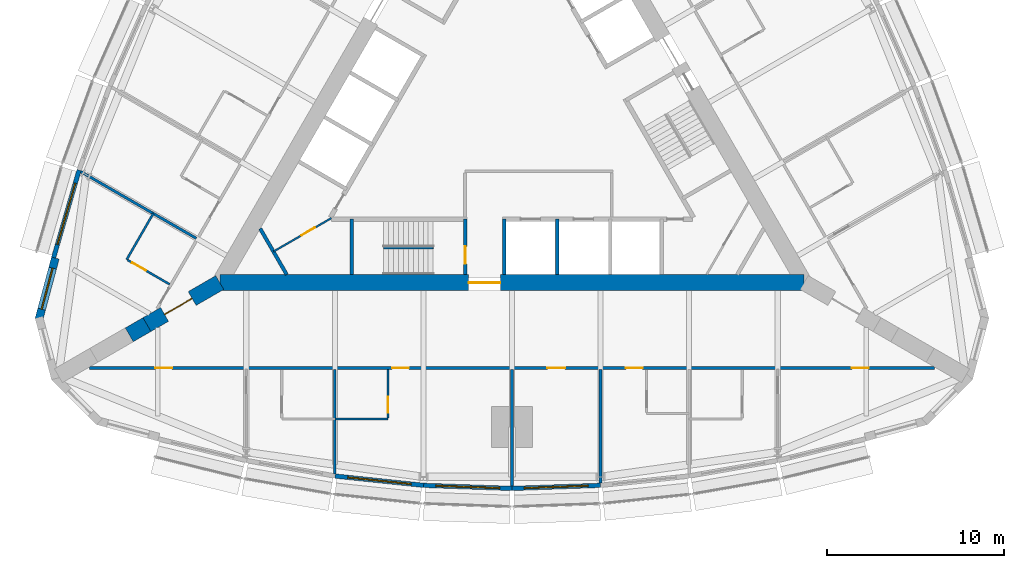
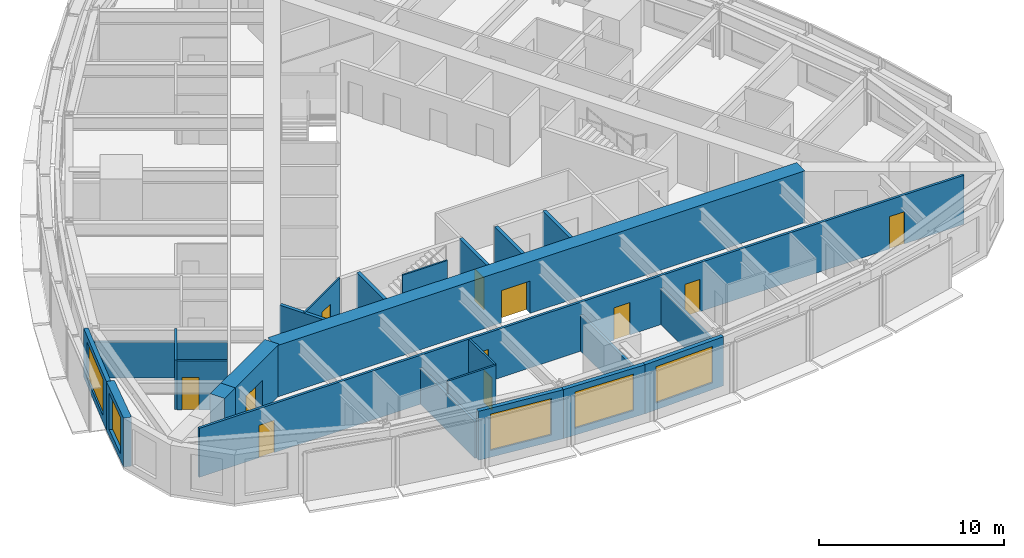
# One storey, part 8 of 14: 24 walls, 11 doors, 5 windows, 16 openings.
"""IFC4 building model written with IfcOpenShell, lengths in metres."""

from ifc_helpers import new_model, si_unit, direction, frame, frame_2d, origin, place, context, subcontext, project, spatial, rectangle, extrude, material, layer, layer_set, type_object, element, fill, save


model = new_model("IFC4")

# Units and contexts
model_context = context("Model", 3, precision=1e-05, world=origin(), true_north=direction((0.0, 1.0)))
body_context = subcontext(model_context, "Body", "Model", "MODEL_VIEW")
ifc_project = project(units=[si_unit("LENGTHUNIT", "METRE"), si_unit("AREAUNIT", "SQUARE_METRE"), si_unit("VOLUMEUNIT", "CUBIC_METRE"), si_unit("PLANEANGLEUNIT", "RADIAN"), si_unit("MASSUNIT", "GRAM", prefix="KILO")], contexts=[model_context])

# Site, building, storey
site_placement = place(None, origin())
site = spatial("IfcSite", under=ifc_project, at=site_placement, CompositionType="ELEMENT")
building_placement = place(site_placement, origin())
building = spatial("IfcBuilding", under=site, at=building_placement, Name="Trikona Tower", CompositionType="ELEMENT")
storey_placement = place(building_placement, frame((0.0, 0.0, 155.5)))
storey = spatial("IfcBuildingStorey", under=building, at=storey_placement, Name="L41", CompositionType="ELEMENT", Elevation=155.5)

# Wall
ifc_material_1 = material(Name="Metal stud and cement board", Category="gypsum")
ifc_layer_1 = layer(ifc_material_1, 0.1201171875)
ifc_layer_set_1 = layer_set([ifc_layer_1], Name="Bathroom wall 120")
wall_type_1 = type_object("IfcWallType", Name="Bathroom wall 120", PredefinedType="PLUMBINGWALL", material=ifc_layer_set_1)
wall_1_placement = place(storey_placement, frame((-10.0, -17.226318359375, 0.0), z_axis=(0.0, 0.0, 1.0), x_axis=(1.0, 0.0, 0.0)))
element("IfcWall", 1, at=wall_1_placement, inside=storey, type_object=wall_type_1, Name="Bathroom wall 4102", PredefinedType="PLUMBINGWALL", context=body_context, shape_type="SweptSolid", body=[
    extrude(rectangle(XDim=3.0, YDim=0.1201171875, at=frame_2d((1.5, 0.0))), origin(), (0.0, 0.0, 1.0), 3.235107421875),
])

# Wall, opening, door
wall_2_placement = place(storey_placement, frame((-7.0, -14.42626953125, 0.0), z_axis=(0.0, 0.0, 1.0), x_axis=(0.0, -1.0, 0.0)))
wall_2 = element("IfcWall", 2, at=wall_2_placement, inside=storey, type_object=wall_type_1, Name="Bathroom wall 4102", PredefinedType="PLUMBINGWALL", context=body_context, shape_type="SweptSolid", body=[
    extrude(rectangle(XDim=2.739990234375, YDim=0.1201171875, at=frame_2d((1.3701171875, 0.0))), origin(), (0.0, 0.0, 1.0), 3.235107421875),
])
opening_1_placement = place(wall_2_placement, frame((1.550048828125, 0.0, 0.0)))
opening_1 = element("IfcOpeningElement", 3, at=opening_1_placement, cuts=wall_2, Name="Opening D2", PredefinedType="OPENING", context=body_context, shape_type="SweptSolid", body=[
    extrude(rectangle(XDim=0.89990234375, YDim=2.1298828125, at=frame_2d((0.449951171875, 1.06494140625))), frame((0.0, 0.070068359375, 0.0), z_axis=(0.0, -1.0, 0.0), x_axis=(1.0, 0.0, 0.0)), (0.0, 0.0, 1.0), 0.14013671875),
])
ifc_material_2 = material(Name="Steel door frame with solid-core timber leaf", Category="steel")
door_type_1 = type_object("IfcDoorType", Name="Bathroom door 900x2130", OperationType="SLIDING_TO_LEFT", PredefinedType="DOOR", material=ifc_material_2)
door_1_placement = place(opening_1_placement, origin())
door_1 = element("IfcDoor", 4, at=door_1_placement, inside=storey, type_object=door_type_1, Name="Bathroom door 4102", OperationType="SLIDING_TO_LEFT", OverallHeight=2.1298828125, OverallWidth=0.89990234375, PredefinedType="DOOR", context=body_context, shape_type="SweptSolid", body=[
    extrude(rectangle(XDim=0.89990234375, YDim=2.1298828125, at=frame_2d((0.449951171875, 1.06494140625))), frame((0.0, 0.02490234375, 0.0), z_axis=(0.0, -1.0, 0.0), x_axis=(1.0, 0.0, 0.0)), (0.0, 0.0, 1.0), 0.050048828125),
])
fill(opening_1, door_1)

# Wall
wall_3_placement = place(storey_placement, frame((-20.25341796875, -5.627197265625, 0.0), z_axis=(0.0, 0.0, 1.0), x_axis=(-0.499990139034, -0.866031096941, 0.0)))
element("IfcWall", 5, at=wall_3_placement, inside=storey, type_object=wall_type_1, Name="Bathroom wall 4115", PredefinedType="PLUMBINGWALL", context=body_context, shape_type="SweptSolid", body=[
    extrude(rectangle(XDim=3.0, YDim=0.1201171875, at=frame_2d((1.5, 0.0))), origin(), (0.0, 0.0, 1.0), 3.235107421875),
])

# Wall, opening, door
wall_4_placement = place(storey_placement, frame((-19.32861328125, -9.625244140625, 0.0), z_axis=(0.0, 0.0, 1.0), x_axis=(-0.866035715982, 0.499982138324, 0.0)))
wall_4 = element("IfcWall", 6, at=wall_4_placement, inside=storey, type_object=wall_type_1, Name="Bathroom wall 4115", PredefinedType="PLUMBINGWALL", context=body_context, shape_type="SweptSolid", body=[
    extrude(rectangle(XDim=2.73974609375, YDim=0.1201171875, at=frame_2d((1.369873046875, 0.0))), origin(), (0.0, 0.0, 1.0), 3.235107421875),
])
opening_2_placement = place(wall_4_placement, frame((1.550048828125, 0.0, 0.0)))
opening_2 = element("IfcOpeningElement", 7, at=opening_2_placement, cuts=wall_4, Name="Opening D2", PredefinedType="OPENING", context=body_context, shape_type="SweptSolid", body=[
    extrude(rectangle(XDim=0.89990234375, YDim=2.1298828125, at=frame_2d((0.449951171875, 1.06494140625))), frame((0.0, 0.070068359375, 0.0), z_axis=(0.0, -1.0, 0.0), x_axis=(1.0, 0.0, 0.0)), (0.0, 0.0, 1.0), 0.14013671875),
])
door_2_placement = place(opening_2_placement, origin())
door_2 = element("IfcDoor", 8, at=door_2_placement, inside=storey, type_object=door_type_1, Name="Bathroom door 4115", OperationType="SLIDING_TO_LEFT", OverallHeight=2.1298828125, OverallWidth=0.89990234375, PredefinedType="DOOR", context=body_context, shape_type="SweptSolid", body=[
    extrude(rectangle(XDim=0.89990234375, YDim=2.1298828125, at=frame_2d((0.449951171875, 1.06494140625))), frame((0.0, 0.02490234375, 0.0), z_axis=(0.0, -1.0, 0.0), x_axis=(1.0, 0.0, 0.0)), (0.0, 0.0, 1.0), 0.050048828125),
])
fill(opening_2, door_2)

# Wall, opening, window
ifc_material_3 = material(Name="Brick-faced precast concrete", Category="masonry")
ifc_layer_2 = layer(ifc_material_3, 0.449951171875)
ifc_layer_set_2 = layer_set([ifc_layer_2], Name="Brick-faced corner wall 450")
wall_type_2 = type_object("IfcWallType", Name="Brick-faced corner wall 450", PredefinedType="SOLIDWALL", material=ifc_layer_set_2)
wall_5_placement = place(storey_placement, frame((-25.78271484375, -8.14111328125, 0.0), z_axis=(0.0, 0.0, 1.0), x_axis=(-0.258823421857, -0.965924653531, 0.0)))
wall_5 = element("IfcWall", 9, at=wall_5_placement, inside=storey, type_object=wall_type_2, Name="External wall L41-32", PredefinedType="SOLIDWALL", context=body_context, shape_type="SweptSolid", body=[
    extrude(rectangle(XDim=3.58642578125, YDim=0.449951171875, at=frame_2d((1.793212890625, 0.0))), origin(), (0.0, 0.0, 1.0), 3.235107421875),
])
opening_3_placement = place(wall_5_placement, frame((0.593017578125, 0.0, 0.449951171875)))
opening_3 = element("IfcOpeningElement", 10, at=opening_3_placement, cuts=wall_5, Name="Opening W2424", PredefinedType="OPENING", context=body_context, shape_type="SweptSolid", body=[
    extrude(rectangle(XDim=2.39990234375, YDim=2.39990234375, at=frame_2d((1.199951171875, 1.199951171875))), frame((0.0, 0.23486328125, 0.0), z_axis=(0.0, -1.0, 0.0), x_axis=(1.0, 0.0, 0.0)), (0.0, 0.0, 1.0), 0.469970703125),
])
ifc_material_4 = material(Name="Aluminium-framed double glazing", Category="aluminium")
window_type_1 = type_object("IfcWindowType", Name="Window 2400x2400", PartitioningType="SINGLE_PANEL", PredefinedType="WINDOW", material=ifc_material_4)
window_1_placement = place(opening_3_placement, origin())
window_1 = element("IfcWindow", 11, at=window_1_placement, inside=storey, type_object=window_type_1, Name="Window 4115", OverallHeight=2.39990234375, OverallWidth=2.39990234375, PartitioningType="SINGLE_PANEL", PredefinedType="WINDOW", context=body_context, shape_type="SweptSolid", body=[
    extrude(rectangle(XDim=2.39990234375, YDim=2.39990234375, at=frame_2d((1.199951171875, 1.199951171875))), frame((0.0, 0.030029296875, 0.0), z_axis=(0.0, -1.0, 0.0), x_axis=(1.0, 0.0, 0.0)), (0.0, 0.0, 1.0), 0.06005859375),
])
fill(opening_3, window_1)

# Wall, opening, door
ifc_material_5 = material(Name="Concrete f'c 10000 psi", Category="concrete")
ifc_layer_3 = layer(ifc_material_5, 0.89990234375)
ifc_layer_set_3 = layer_set([ifc_layer_3], Name="Buttress wall 900")
wall_type_3 = type_object("IfcWallType", Name="Buttress wall 900", PredefinedType="SHEAR", material=ifc_layer_set_3)
wall_6_placement = place(storey_placement, frame((-16.5, -9.5263671875, 0.0), z_axis=(0.0, 0.0, 1.0), x_axis=(-0.866031398331, -0.499989616998, 0.0)))
wall_6 = element("IfcWall", 12, at=wall_6_placement, inside=storey, type_object=wall_type_3, Name="Buttress wall 3", PredefinedType="SHEAR", context=body_context, shape_type="SweptSolid", body=[
    extrude(rectangle(XDim=4.74609375, YDim=0.89990234375, at=frame_2d((2.373046875, 0.0))), origin(), (0.0, 0.0, 1.0), 3.39990234375),
])
opening_4_placement = place(wall_6_placement, frame((1.800048828125, 0.0, 0.0)))
opening_4 = element("IfcOpeningElement", 13, at=opening_4_placement, cuts=wall_6, Name="Opening D10", PredefinedType="OPENING", context=body_context, shape_type="SweptSolid", body=[
    extrude(rectangle(XDim=1.800048828125, YDim=2.1298828125, at=frame_2d((0.89990234375, 1.06494140625))), frame((0.0, 0.4599609375, 0.0), z_axis=(0.0, -1.0, 0.0), x_axis=(1.0, 0.0, 0.0)), (0.0, 0.0, 1.0), 0.919921875),
])
ifc_material_6 = material(Name="Hollow metal door and frame", Category="steel")
door_type_2 = type_object("IfcDoorType", Name="Cross-corridor door pair 1800x2130", OperationType="DOUBLE_DOOR_DOUBLE_SWING", PredefinedType="DOOR", material=ifc_material_6)
door_3_placement = place(opening_4_placement, origin())
door_3 = element("IfcDoor", 14, at=door_3_placement, inside=storey, type_object=door_type_2, Name="Cross-corridor door 3", OperationType="DOUBLE_DOOR_DOUBLE_SWING", OverallHeight=2.1298828125, OverallWidth=1.800048828125, PredefinedType="DOOR", context=body_context, shape_type="SweptSolid", body=[
    extrude(rectangle(XDim=1.800048828125, YDim=2.1298828125, at=frame_2d((0.89990234375, 1.06494140625))), frame((0.0, 0.02490234375, 0.0), z_axis=(0.0, -1.0, 0.0), x_axis=(1.0, 0.0, 0.0)), (0.0, 0.0, 1.0), 0.050048828125),
])
fill(opening_4, door_3)

# Wall
wall_7_placement = place(storey_placement, frame((-20.6103515625, -11.8994140625, 0.0), z_axis=(0.0, 0.0, 1.0), x_axis=(-0.866009537788, -0.500027479704, 0.0)))
element("IfcWall", 15, at=wall_7_placement, inside=storey, type_object=wall_type_3, Name="Buttress wall 3 part 2", PredefinedType="SHEAR", context=body_context, shape_type="SweptSolid", body=[
    extrude(rectangle(XDim=1.15478515625, YDim=0.89990234375, at=frame_2d((0.577392578125, 0.0))), origin(), (0.0, 0.0, 1.0), 3.39990234375),
])

# Wall, opening, door
ifc_material_7 = material(Name="Concrete f'c 10000 psi", Category="concrete")
ifc_layer_4 = layer(ifc_material_7, 0.89990234375)
ifc_layer_set_4 = layer_set([ifc_layer_4], Name="Core wall 900")
wall_type_4 = type_object("IfcWallType", Name="Core wall 900", PredefinedType="SHEAR", material=ifc_layer_set_4)
wall_8_placement = place(storey_placement, frame((-16.5, -9.5263671875, 0.0), z_axis=(0.0, 0.0, 1.0), x_axis=(1.0, 0.0, 0.0)))
wall_8 = element("IfcWall", 16, at=wall_8_placement, inside=storey, type_object=wall_type_4, Name="Core wall A", PredefinedType="SHEAR", context=body_context, shape_type="SweptSolid", body=[
    extrude(rectangle(XDim=33.0, YDim=0.89990234375, at=frame_2d((16.5, 0.0))), origin(), (0.0, 0.0, 1.0), 3.39990234375),
])
opening_5_placement = place(wall_8_placement, frame((14.050048828125, 0.0, 0.0)))
opening_5 = element("IfcOpeningElement", 17, at=opening_5_placement, cuts=wall_8, Name="Opening D6", PredefinedType="OPENING", context=body_context, shape_type="SweptSolid", body=[
    extrude(rectangle(XDim=1.800048828125, YDim=2.1298828125, at=frame_2d((0.89990234375, 1.06494140625))), frame((0.0, 0.4599609375, 0.0), z_axis=(0.0, -1.0, 0.0), x_axis=(1.0, 0.0, 0.0)), (0.0, 0.0, 1.0), 0.919921875),
])
ifc_material_8 = material(Name="Hollow metal door and frame", Category="steel")
door_type_3 = type_object("IfcDoorType", Name="Lobby door pair 1800x2130", OperationType="DOUBLE_DOOR_SINGLE_SWING", PredefinedType="DOOR", material=ifc_material_8)
door_4_placement = place(opening_5_placement, origin())
door_4 = element("IfcDoor", 18, at=door_4_placement, inside=storey, type_object=door_type_3, Name="Fire service lift lobby door", OperationType="DOUBLE_DOOR_SINGLE_SWING", OverallHeight=2.1298828125, OverallWidth=1.800048828125, PredefinedType="DOOR", context=body_context, shape_type="SweptSolid", body=[
    extrude(rectangle(XDim=1.800048828125, YDim=2.1298828125, at=frame_2d((0.89990234375, 1.06494140625))), frame((0.0, 0.02490234375, 0.0), z_axis=(0.0, -1.0, 0.0), x_axis=(1.0, 0.0, 0.0)), (0.0, 0.0, 1.0), 0.050048828125),
])
fill(opening_5, door_4)

# Wall, openings, doors
ifc_material_9 = material(Name="Metal stud and gypsum board, 1-hour", Category="gypsum")
ifc_layer_5 = layer(ifc_material_9, 0.14990234375)
ifc_layer_set_5 = layer_set([ifc_layer_5], Name="Corridor wall 150")
wall_type_5 = type_object("IfcWallType", Name="Corridor wall 150", PredefinedType="PARTITIONING", material=ifc_layer_set_5)
wall_9_placement = place(storey_placement, frame((-23.857177734375, -14.351318359375, 0.0), z_axis=(0.0, 0.0, 1.0), x_axis=(1.0, 0.0, 0.0)))
wall_9 = element("IfcWall", 19, at=wall_9_placement, inside=storey, type_object=wall_type_5, Name="Corridor wall L41-1", PredefinedType="PARTITIONING", context=body_context, shape_type="SweptSolid", body=[
    extrude(rectangle(XDim=47.71435546875, YDim=0.14990234375, at=frame_2d((23.857177734375, 0.0))), origin(), (0.0, 0.0, 1.0), 3.235107421875),
])
opening_6_placement = place(wall_9_placement, frame((3.723388671875, 0.0, 0.0)))
opening_6 = element("IfcOpeningElement", 20, at=opening_6_placement, cuts=wall_9, Name="Opening D1", PredefinedType="OPENING", context=body_context, shape_type="SweptSolid", body=[
    extrude(rectangle(XDim=0.949951171875, YDim=2.1298828125, at=frame_2d((0.47509765625, 1.06494140625))), frame((0.0, 0.0849609375, 0.0), z_axis=(0.0, -1.0, 0.0), x_axis=(1.0, 0.0, 0.0)), (0.0, 0.0, 1.0), 0.169921875),
])
opening_7_placement = place(wall_9_placement, frame((17.08203125, 0.0, 0.0)))
opening_7 = element("IfcOpeningElement", 21, at=opening_7_placement, cuts=wall_9, Name="Opening D1", PredefinedType="OPENING", context=body_context, shape_type="SweptSolid", body=[
    extrude(rectangle(XDim=0.949951171875, YDim=2.1298828125, at=frame_2d((0.47509765625, 1.06494140625))), frame((0.0, 0.0849609375, 0.0), z_axis=(0.0, -1.0, 0.0), x_axis=(1.0, 0.0, 0.0)), (0.0, 0.0, 1.0), 0.169921875),
])
opening_8_placement = place(wall_9_placement, frame((25.857177734375, 0.0, 0.0)))
opening_8 = element("IfcOpeningElement", 22, at=opening_8_placement, cuts=wall_9, Name="Opening D3", PredefinedType="OPENING", context=body_context, shape_type="SweptSolid", body=[
    extrude(rectangle(XDim=1.0, YDim=2.1298828125, at=frame_2d((0.5, 1.06494140625))), frame((0.0, 0.0849609375, 0.0), z_axis=(0.0, -1.0, 0.0), x_axis=(1.0, 0.0, 0.0)), (0.0, 0.0, 1.0), 0.169921875),
])
opening_9_placement = place(wall_9_placement, frame((30.281982421875, 0.0, 0.0)))
opening_9 = element("IfcOpeningElement", 23, at=opening_9_placement, cuts=wall_9, Name="Opening D1", PredefinedType="OPENING", context=body_context, shape_type="SweptSolid", body=[
    extrude(rectangle(XDim=0.949951171875, YDim=2.1298828125, at=frame_2d((0.47509765625, 1.06494140625))), frame((0.0, 0.0849609375, 0.0), z_axis=(0.0, -1.0, 0.0), x_axis=(1.0, 0.0, 0.0)), (0.0, 0.0, 1.0), 0.169921875),
])
opening_10_placement = place(wall_9_placement, frame((43.041015625, 0.0, 0.0)))
opening_10 = element("IfcOpeningElement", 24, at=opening_10_placement, cuts=wall_9, Name="Opening D1", PredefinedType="OPENING", context=body_context, shape_type="SweptSolid", body=[
    extrude(rectangle(XDim=0.949951171875, YDim=2.1298828125, at=frame_2d((0.47509765625, 1.06494140625))), frame((0.0, 0.0849609375, 0.0), z_axis=(0.0, -1.0, 0.0), x_axis=(1.0, 0.0, 0.0)), (0.0, 0.0, 1.0), 0.169921875),
])
ifc_material_10 = material(Name="Steel door frame with solid-core timber leaf", Category="steel")
door_type_4 = type_object("IfcDoorType", Name="Guest room door 950x2130", OperationType="SINGLE_SWING_LEFT", PredefinedType="DOOR", material=ifc_material_10)
door_5_placement = place(opening_6_placement, origin())
door_5 = element("IfcDoor", 25, at=door_5_placement, inside=storey, type_object=door_type_4, Name="Room door 4101", OperationType="SINGLE_SWING_LEFT", OverallHeight=2.1298828125, OverallWidth=0.949951171875, PredefinedType="DOOR", context=body_context, shape_type="SweptSolid", body=[
    extrude(rectangle(XDim=0.949951171875, YDim=2.1298828125, at=frame_2d((0.47509765625, 1.06494140625))), frame((0.0, 0.02490234375, 0.0), z_axis=(0.0, -1.0, 0.0), x_axis=(1.0, 0.0, 0.0)), (0.0, 0.0, 1.0), 0.050048828125),
])
fill(opening_6, door_5)
door_6_placement = place(opening_7_placement, origin())
door_6 = element("IfcDoor", 26, at=door_6_placement, inside=storey, type_object=door_type_4, Name="Room door 4102", OperationType="SINGLE_SWING_RIGHT", OverallHeight=2.1298828125, OverallWidth=0.949951171875, PredefinedType="DOOR", context=body_context, shape_type="SweptSolid", body=[
    extrude(rectangle(XDim=0.949951171875, YDim=2.1298828125, at=frame_2d((0.47509765625, 1.06494140625))), frame((0.0, 0.02490234375, 0.0), z_axis=(0.0, -1.0, 0.0), x_axis=(1.0, 0.0, 0.0)), (0.0, 0.0, 1.0), 0.050048828125),
])
fill(opening_7, door_6)
door_7_placement = place(opening_9_placement, origin())
door_7 = element("IfcDoor", 27, at=door_7_placement, inside=storey, type_object=door_type_4, Name="Room door 4103", OperationType="SINGLE_SWING_RIGHT", OverallHeight=2.1298828125, OverallWidth=0.949951171875, PredefinedType="DOOR", context=body_context, shape_type="SweptSolid", body=[
    extrude(rectangle(XDim=0.949951171875, YDim=2.1298828125, at=frame_2d((0.47509765625, 1.06494140625))), frame((0.0, 0.02490234375, 0.0), z_axis=(0.0, -1.0, 0.0), x_axis=(1.0, 0.0, 0.0)), (0.0, 0.0, 1.0), 0.050048828125),
])
fill(opening_9, door_7)
door_8_placement = place(opening_10_placement, origin())
door_8 = element("IfcDoor", 28, at=door_8_placement, inside=storey, type_object=door_type_4, Name="Room door 4104", OperationType="SINGLE_SWING_RIGHT", OverallHeight=2.1298828125, OverallWidth=0.949951171875, PredefinedType="DOOR", context=body_context, shape_type="SweptSolid", body=[
    extrude(rectangle(XDim=0.949951171875, YDim=2.1298828125, at=frame_2d((0.47509765625, 1.06494140625))), frame((0.0, 0.02490234375, 0.0), z_axis=(0.0, -1.0, 0.0), x_axis=(1.0, 0.0, 0.0)), (0.0, 0.0, 1.0), 0.050048828125),
])
fill(opening_10, door_8)
ifc_material_11 = material(Name="Steel door frame with solid-core timber leaf", Category="steel")
door_type_5 = type_object("IfcDoorType", Name="Room door 1000x2130", OperationType="SINGLE_SWING_LEFT", PredefinedType="DOOR", material=ifc_material_11)
door_9_placement = place(opening_8_placement, origin())
door_9 = element("IfcDoor", 29, at=door_9_placement, inside=storey, type_object=door_type_5, Name="Door Housekeeping pantry", OperationType="SINGLE_SWING_LEFT", OverallHeight=2.1298828125, OverallWidth=1.0, PredefinedType="DOOR", context=body_context, shape_type="SweptSolid", body=[
    extrude(rectangle(XDim=1.0, YDim=2.1298828125, at=frame_2d((0.5, 1.06494140625))), frame((0.0, 0.02490234375, 0.0), z_axis=(0.0, -1.0, 0.0), x_axis=(1.0, 0.0, 0.0)), (0.0, 0.0, 1.0), 0.050048828125),
])
fill(opening_8, door_9)

# Wall, opening, window
ifc_material_12 = material(Name="Insulated precast concrete spandrel panel", Category="concrete")
ifc_layer_6 = layer(ifc_material_12, 0.25)
ifc_layer_set_6 = layer_set([ifc_layer_6], Name="Inner skin wall 250")
wall_type_6 = type_object("IfcWallType", Name="Inner skin wall 250", PredefinedType="STANDARD", material=ifc_layer_set_6)
wall_10_placement = place(storey_placement, frame((-9.98681640625, -20.450927734375, 0.0), z_axis=(0.0, 0.0, 1.0), x_axis=(0.994534683851, -0.104406717299, 0.0)))
wall_10 = element("IfcWall", 30, at=wall_10_placement, inside=storey, type_object=wall_type_6, Name="External wall L41-02", PredefinedType="STANDARD", context=body_context, shape_type="SweptSolid", body=[
    extrude(rectangle(XDim=5.027587890625, YDim=0.25, at=frame_2d((2.513671875, 0.0))), origin(), (0.0, 0.0, 1.0), 3.235107421875),
])
opening_11_placement = place(wall_10_placement, frame((0.713623046875, 0.0, 0.449951171875)))
opening_11 = element("IfcOpeningElement", 31, at=opening_11_placement, cuts=wall_10, Name="Opening W3624", PredefinedType="OPENING", context=body_context, shape_type="SweptSolid", body=[
    extrude(rectangle(XDim=3.60009765625, YDim=2.39990234375, at=frame_2d((1.800048828125, 1.199951171875))), frame((0.0, 0.135009765625, 0.0), z_axis=(0.0, -1.0, 0.0), x_axis=(1.0, 0.0, 0.0)), (0.0, 0.0, 1.0), 0.27001953125),
])
ifc_material_13 = material(Name="Aluminium-framed double glazing", Category="aluminium")
window_type_2 = type_object("IfcWindowType", Name="Window 3600x2400", PartitioningType="SINGLE_PANEL", PredefinedType="WINDOW", material=ifc_material_13)
window_2_placement = place(opening_11_placement, origin())
window_2 = element("IfcWindow", 32, at=window_2_placement, inside=storey, type_object=window_type_2, Name="Window 4102", OverallHeight=2.39990234375, OverallWidth=3.60009765625, PartitioningType="SINGLE_PANEL", PredefinedType="WINDOW", context=body_context, shape_type="SweptSolid", body=[
    extrude(rectangle(XDim=3.60009765625, YDim=2.39990234375, at=frame_2d((1.800048828125, 1.199951171875))), frame((0.0, 0.030029296875, 0.0), z_axis=(0.0, -1.0, 0.0), x_axis=(1.0, 0.0, 0.0)), (0.0, 0.0, 1.0), 0.06005859375),
])
fill(opening_11, window_2)

wall_11_placement = place(storey_placement, frame((-4.99560546875, -20.975341796875, 0.0), z_axis=(0.0, 0.0, 1.0), x_axis=(0.999387720943, -0.034988329879, 0.0)))
wall_11 = element("IfcWall", 33, at=wall_11_placement, inside=storey, type_object=wall_type_6, Name="External wall L41-03", PredefinedType="STANDARD", context=body_context, shape_type="SweptSolid", body=[
    extrude(rectangle(XDim=5.003173828125, YDim=0.25, at=frame_2d((2.50146484375, 0.0))), origin(), (0.0, 0.0, 1.0), 3.235107421875),
])
opening_12_placement = place(wall_11_placement, frame((0.701416015625, 0.0, 0.449951171875)))
opening_12 = element("IfcOpeningElement", 34, at=opening_12_placement, cuts=wall_11, Name="Opening W3624", PredefinedType="OPENING", context=body_context, shape_type="SweptSolid", body=[
    extrude(rectangle(XDim=3.60009765625, YDim=2.39990234375, at=frame_2d((1.800048828125, 1.199951171875))), frame((0.0, 0.135009765625, 0.0), z_axis=(0.0, -1.0, 0.0), x_axis=(1.0, 0.0, 0.0)), (0.0, 0.0, 1.0), 0.27001953125),
])
window_3_placement = place(opening_12_placement, origin())
window_3 = element("IfcWindow", 35, at=window_3_placement, inside=storey, type_object=window_type_2, Name="Window 4102", OverallHeight=2.39990234375, OverallWidth=3.60009765625, PartitioningType="SINGLE_PANEL", PredefinedType="WINDOW", context=body_context, shape_type="SweptSolid", body=[
    extrude(rectangle(XDim=3.60009765625, YDim=2.39990234375, at=frame_2d((1.800048828125, 1.199951171875))), frame((0.0, 0.030029296875, 0.0), z_axis=(0.0, -1.0, 0.0), x_axis=(1.0, 0.0, 0.0)), (0.0, 0.0, 1.0), 0.06005859375),
])
fill(opening_12, window_3)

wall_12_placement = place(storey_placement, frame((-0.00439453125, -21.150390625, 0.0), z_axis=(0.0, 0.0, 1.0), x_axis=(0.999387720943, 0.034988329879, 0.0)))
wall_12 = element("IfcWall", 36, at=wall_12_placement, inside=storey, type_object=wall_type_6, Name="External wall L41-04", PredefinedType="STANDARD", context=body_context, shape_type="SweptSolid", body=[
    extrude(rectangle(XDim=5.003173828125, YDim=0.25, at=frame_2d((2.50146484375, 0.0))), origin(), (0.0, 0.0, 1.0), 3.235107421875),
])
opening_13_placement = place(wall_12_placement, frame((0.701416015625, 0.0, 0.449951171875)))
opening_13 = element("IfcOpeningElement", 37, at=opening_13_placement, cuts=wall_12, Name="Opening W3624", PredefinedType="OPENING", context=body_context, shape_type="SweptSolid", body=[
    extrude(rectangle(XDim=3.60009765625, YDim=2.39990234375, at=frame_2d((1.800048828125, 1.199951171875))), frame((0.0, 0.135009765625, 0.0), z_axis=(0.0, -1.0, 0.0), x_axis=(1.0, 0.0, 0.0)), (0.0, 0.0, 1.0), 0.27001953125),
])
window_4_placement = place(opening_13_placement, origin())
window_4 = element("IfcWindow", 38, at=window_4_placement, inside=storey, type_object=window_type_2, Name="Window L41-HKP", OverallHeight=2.39990234375, OverallWidth=3.60009765625, PartitioningType="SINGLE_PANEL", PredefinedType="WINDOW", context=body_context, shape_type="SweptSolid", body=[
    extrude(rectangle(XDim=3.60009765625, YDim=2.39990234375, at=frame_2d((1.800048828125, 1.199951171875))), frame((0.0, 0.030029296875, 0.0), z_axis=(0.0, -1.0, 0.0), x_axis=(1.0, 0.0, 0.0)), (0.0, 0.0, 1.0), 0.06005859375),
])
fill(opening_13, window_4)

wall_13_placement = place(storey_placement, frame((-24.44091796875, -3.17529296875, 0.0), z_axis=(0.0, 0.0, 1.0), x_axis=(-0.279528287117, -0.960137457191, 0.0)))
wall_13 = element("IfcWall", 39, at=wall_13_placement, inside=storey, type_object=wall_type_6, Name="External wall L41-31", PredefinedType="STANDARD", context=body_context, shape_type="SweptSolid", body=[
    extrude(rectangle(XDim=5.14794921875, YDim=0.25, at=frame_2d((2.573974609375, 0.0))), origin(), (0.0, 0.0, 1.0), 3.235107421875),
])
opening_14_placement = place(wall_13_placement, frame((0.77392578125, 0.0, 0.449951171875)))
opening_14 = element("IfcOpeningElement", 40, at=opening_14_placement, cuts=wall_13, Name="Opening W3624", PredefinedType="OPENING", context=body_context, shape_type="SweptSolid", body=[
    extrude(rectangle(XDim=3.60009765625, YDim=2.39990234375, at=frame_2d((1.800048828125, 1.199951171875))), frame((0.0, 0.135009765625, 0.0), z_axis=(0.0, -1.0, 0.0), x_axis=(1.0, 0.0, 0.0)), (0.0, 0.0, 1.0), 0.27001953125),
])
window_5_placement = place(opening_14_placement, origin())
window_5 = element("IfcWindow", 41, at=window_5_placement, inside=storey, type_object=window_type_2, Name="Window 4115", OverallHeight=2.39990234375, OverallWidth=3.60009765625, PartitioningType="SINGLE_PANEL", PredefinedType="WINDOW", context=body_context, shape_type="SweptSolid", body=[
    extrude(rectangle(XDim=3.60009765625, YDim=2.39990234375, at=frame_2d((1.800048828125, 1.199951171875))), frame((0.0, 0.030029296875, 0.0), z_axis=(0.0, -1.0, 0.0), x_axis=(1.0, 0.0, 0.0)), (0.0, 0.0, 1.0), 0.06005859375),
])
fill(opening_14, window_5)

# Walls
ifc_material_14 = material(Name="Metal stud and gypsum board, 1-hour acoustic", Category="gypsum")
ifc_layer_7 = layer(ifc_material_14, 0.14990234375)
ifc_layer_set_7 = layer_set([ifc_layer_7], Name="Party wall 150")
wall_type_7 = type_object("IfcWallType", Name="Party wall 150", PredefinedType="PARTITIONING", material=ifc_layer_set_7)
wall_14_placement = place(storey_placement, frame((-10.0, -14.42626953125, 0.0), z_axis=(0.0, 0.0, 1.0), x_axis=(0.0, -1.0, 0.0)))
element("IfcWall", 42, at=wall_14_placement, inside=storey, type_object=wall_type_7, Name="Partition L41 F1 u-10", PredefinedType="PARTITIONING", context=body_context, shape_type="SweptSolid", body=[
    extrude(rectangle(XDim=5.89501953125, YDim=0.14990234375, at=frame_2d((2.947509765625, 0.0))), origin(), (0.0, 0.0, 1.0), 2.38916015625),
])
wall_15_placement = place(storey_placement, frame((0.0, -14.42626953125, 0.0), z_axis=(0.0, 0.0, 1.0), x_axis=(0.0, -1.0, 0.0)))
element("IfcWall", 43, at=wall_15_placement, inside=storey, type_object=wall_type_7, Name="Partition L41 F1 u-9.86076e-31", PredefinedType="PARTITIONING", context=body_context, shape_type="SweptSolid", body=[
    extrude(rectangle(XDim=6.5986328125, YDim=0.14990234375, at=frame_2d((3.29931640625, 0.0))), origin(), (0.0, 0.0, 1.0), 2.38916015625),
])
wall_16_placement = place(storey_placement, frame((5.0, -14.42626953125, 0.0), z_axis=(0.0, 0.0, 1.0), x_axis=(0.0, -1.0, 0.0)))
element("IfcWall", 44, at=wall_16_placement, inside=storey, type_object=wall_type_7, Name="Partition L41 F1 u5", PredefinedType="PARTITIONING", context=body_context, shape_type="SweptSolid", body=[
    extrude(rectangle(XDim=6.422607421875, YDim=0.14990234375, at=frame_2d((3.21142578125, 0.0))), origin(), (0.0, 0.0, 1.0), 2.38916015625),
])
wall_17_placement = place(storey_placement, frame((-17.82861328125, -7.027099609375, 0.0), z_axis=(0.0, 0.0, 1.0), x_axis=(-0.866029804378, 0.499992377871, 0.0)))
element("IfcWall", 45, at=wall_17_placement, inside=storey, type_object=wall_type_7, Name="Partition L41 F3 u15", PredefinedType="PARTITIONING", context=body_context, shape_type="SweptSolid", body=[
    extrude(rectangle(XDim=7.51611328125, YDim=0.14990234375, at=frame_2d((3.758056640625, 0.0))), origin(), (0.0, 0.0, 1.0), 2.38916015625),
])
ifc_material_15 = material(Name="Concrete f'c 8000 psi", Category="concrete")
ifc_layer_8 = layer(ifc_material_15, 0.199951171875)
ifc_layer_set_8 = layer_set([ifc_layer_8], Name="Shaft wall 200")
wall_type_8 = type_object("IfcWallType", Name="Shaft wall 200", PredefinedType="SOLIDWALL", material=ifc_layer_set_8)
for number, where, z_axis, x_axis, name in (
    (46, (-0.449951171875, -5.951416015625, 0.0), (0.0, 0.0, 1.0), (0.0, -1.0, 0.0), "Shaft wall A3"),
    (47, (2.550048828125, -5.951416015625, 0.0), (0.0, 0.0, 1.0), (0.0, -1.0, 0.0), "Shaft wall A4"),
):
    element("IfcWall", number, at=place(storey_placement, frame(where, z_axis=z_axis, x_axis=x_axis)), inside=storey, type_object=wall_type_8, Name=name, PredefinedType="SOLIDWALL", context=body_context, shape_type="SweptSolid", body=[
        extrude(rectangle(XDim=3.125, YDim=0.199951171875, at=frame_2d((1.5625, 0.0))), origin(), (0.0, 0.0, 1.0), 3.235107421875),
    ])
wall_18_placement = place(storey_placement, frame((-12.718505859375, -9.076416015625, 0.0), z_axis=(0.0, 0.0, 1.0), x_axis=(-0.499952404951, 0.866052881055, 0.0)))
element("IfcWall", 48, at=wall_18_placement, inside=storey, type_object=wall_type_8, Name="Riser wall L41-RS3", PredefinedType="SOLIDWALL", context=body_context, shape_type="SweptSolid", body=[
    extrude(rectangle(XDim=3.002197265625, YDim=0.199951171875, at=frame_2d((1.5009765625, 0.0))), origin(), (0.0, 0.0, 1.0), 3.235107421875),
])
ifc_material_16 = material(Name="Concrete f'c 8000 psi", Category="concrete")
ifc_layer_9 = layer(ifc_material_16, 0.199951171875)
ifc_layer_set_9 = layer_set([ifc_layer_9], Name="Shaft wall 200 load-bearing")
wall_type_9 = type_object("IfcWallType", Name="Shaft wall 200 load-bearing", PredefinedType="SOLIDWALL", material=ifc_layer_set_9)
wall_19_placement = place(storey_placement, frame((-9.050048828125, -5.951416015625, 0.0), z_axis=(0.0, 0.0, 1.0), x_axis=(0.0, -1.0, 0.0)))
element("IfcWall", 49, at=wall_19_placement, inside=storey, type_object=wall_type_9, Name="Shaft wall A1", PredefinedType="SOLIDWALL", context=body_context, shape_type="SweptSolid", body=[
    extrude(rectangle(XDim=3.125, YDim=0.199951171875, at=frame_2d((1.5625, 0.0))), origin(), (0.0, 0.0, 1.0), 3.235107421875),
])

# Wall, opening, door
wall_20_placement = place(storey_placement, frame((-2.64990234375, -5.951416015625, 0.0), z_axis=(0.0, 0.0, 1.0), x_axis=(0.0, -1.0, 0.0)))
wall_20 = element("IfcWall", 50, at=wall_20_placement, inside=storey, type_object=wall_type_9, Name="Shaft wall A2", PredefinedType="SOLIDWALL", context=body_context, shape_type="SweptSolid", body=[
    extrude(rectangle(XDim=3.125, YDim=0.199951171875, at=frame_2d((1.5625, 0.0))), origin(), (0.0, 0.0, 1.0), 3.235107421875),
])
opening_15_placement = place(wall_20_placement, frame((1.52490234375, 0.0, 0.0)))
opening_15 = element("IfcOpeningElement", 51, at=opening_15_placement, cuts=wall_20, Name="Opening D5", PredefinedType="OPENING", context=body_context, shape_type="SweptSolid", body=[
    extrude(rectangle(XDim=1.0, YDim=2.1298828125, at=frame_2d((0.5, 1.06494140625))), frame((0.0, 0.10986328125, 0.0), z_axis=(0.0, -1.0, 0.0), x_axis=(1.0, 0.0, 0.0)), (0.0, 0.0, 1.0), 0.219970703125),
])
ifc_material_17 = material(Name="Hollow metal door and frame", Category="steel")
door_type_6 = type_object("IfcDoorType", Name="Stair door 1000x2130", OperationType="SINGLE_SWING_LEFT", PredefinedType="DOOR", material=ifc_material_17)
door_10_placement = place(opening_15_placement, origin())
door_10 = element("IfcDoor", 52, at=door_10_placement, inside=storey, type_object=door_type_6, Name="Stair A door", OperationType="SINGLE_SWING_RIGHT", OverallHeight=2.1298828125, OverallWidth=1.0, PredefinedType="DOOR", context=body_context, shape_type="SweptSolid", body=[
    extrude(rectangle(XDim=1.0, YDim=2.1298828125, at=frame_2d((0.5, 1.06494140625))), frame((0.0, 0.02490234375, 0.0), z_axis=(0.0, -1.0, 0.0), x_axis=(1.0, 0.0, 0.0)), (0.0, 0.0, 1.0), 0.050048828125),
])
fill(opening_15, door_10)

# Wall
ifc_material_18 = material(Name="Concrete f'c 5000 psi", Category="concrete")
ifc_layer_10 = layer(ifc_material_18, 0.10009765625)
ifc_layer_set_10 = layer_set([ifc_layer_10], Name="Stair spine wall 100")
wall_type_10 = type_object("IfcWallType", Name="Stair spine wall 100", PredefinedType="SOLIDWALL", material=ifc_layer_set_10)
wall_21_placement = place(storey_placement, frame((-7.2470703125, -7.576416015625, 0.0), z_axis=(0.0, 0.0, 1.0), x_axis=(1.0, 0.0, 0.0)))
element("IfcWall", 53, at=wall_21_placement, inside=storey, type_object=wall_type_10, Name="Stair A spine wall L41", PredefinedType="SOLIDWALL", context=body_context, shape_type="SweptSolid", body=[
    extrude(rectangle(XDim=2.794189453125, YDim=0.10009765625, at=frame_2d((1.39697265625, 0.0))), origin(), (0.0, 0.0, 1.0), 3.39990234375),
])

# Wall, opening, door
ifc_material_19 = material(Name="Metal stud and gypsum board, acoustic", Category="gypsum")
ifc_layer_11 = layer(ifc_material_19, 0.10009765625)
ifc_layer_set_11 = layer_set([ifc_layer_11], Name="Suite partition 100")
wall_type_11 = type_object("IfcWallType", Name="Suite partition 100", PredefinedType="PARTITIONING", material=ifc_layer_set_11)
wall_22_placement = place(storey_placement, frame((-13.468994140625, -7.7763671875, 0.0), z_axis=(0.0, 0.0, 1.0), x_axis=(0.866021898093, 0.500006071987, 0.0)))
wall_22 = element("IfcWall", 54, at=wall_22_placement, inside=storey, type_object=wall_type_11, Name="Store partition L41-RS3", PredefinedType="PARTITIONING", context=body_context, shape_type="SweptSolid", body=[
    extrude(rectangle(XDim=3.775390625, YDim=0.10009765625, at=frame_2d((1.8876953125, 0.0))), origin(), (0.0, 0.0, 1.0), 3.235107421875),
])
opening_16_placement = place(wall_22_placement, frame((1.815185546875, 0.0, 0.0)))
opening_16 = element("IfcOpeningElement", 55, at=opening_16_placement, cuts=wall_22, Name="Opening D15", PredefinedType="OPENING", context=body_context, shape_type="SweptSolid", body=[
    extrude(rectangle(XDim=0.89990234375, YDim=2.1298828125, at=frame_2d((0.449951171875, 1.06494140625))), frame((0.0, 0.06005859375, 0.0), z_axis=(0.0, -1.0, 0.0), x_axis=(1.0, 0.0, 0.0)), (0.0, 0.0, 1.0), 0.1201171875),
])
ifc_material_20 = material(Name="Steel door frame with solid-core timber leaf", Category="steel")
door_type_7 = type_object("IfcDoorType", Name="Store door 900x2130", OperationType="SINGLE_SWING_LEFT", PredefinedType="DOOR", material=ifc_material_20)
door_11_placement = place(opening_16_placement, origin())
door_11 = element("IfcDoor", 56, at=door_11_placement, inside=storey, type_object=door_type_7, Name="Door Luggage store LUG", OperationType="SINGLE_SWING_RIGHT", OverallHeight=2.1298828125, OverallWidth=0.89990234375, PredefinedType="DOOR", context=body_context, shape_type="SweptSolid", body=[
    extrude(rectangle(XDim=0.89990234375, YDim=2.1298828125, at=frame_2d((0.449951171875, 1.06494140625))), frame((0.0, 0.02490234375, 0.0), z_axis=(0.0, -1.0, 0.0), x_axis=(1.0, 0.0, 0.0)), (0.0, 0.0, 1.0), 0.050048828125),
])
fill(opening_16, door_11)

save(model, "model.ifc")
